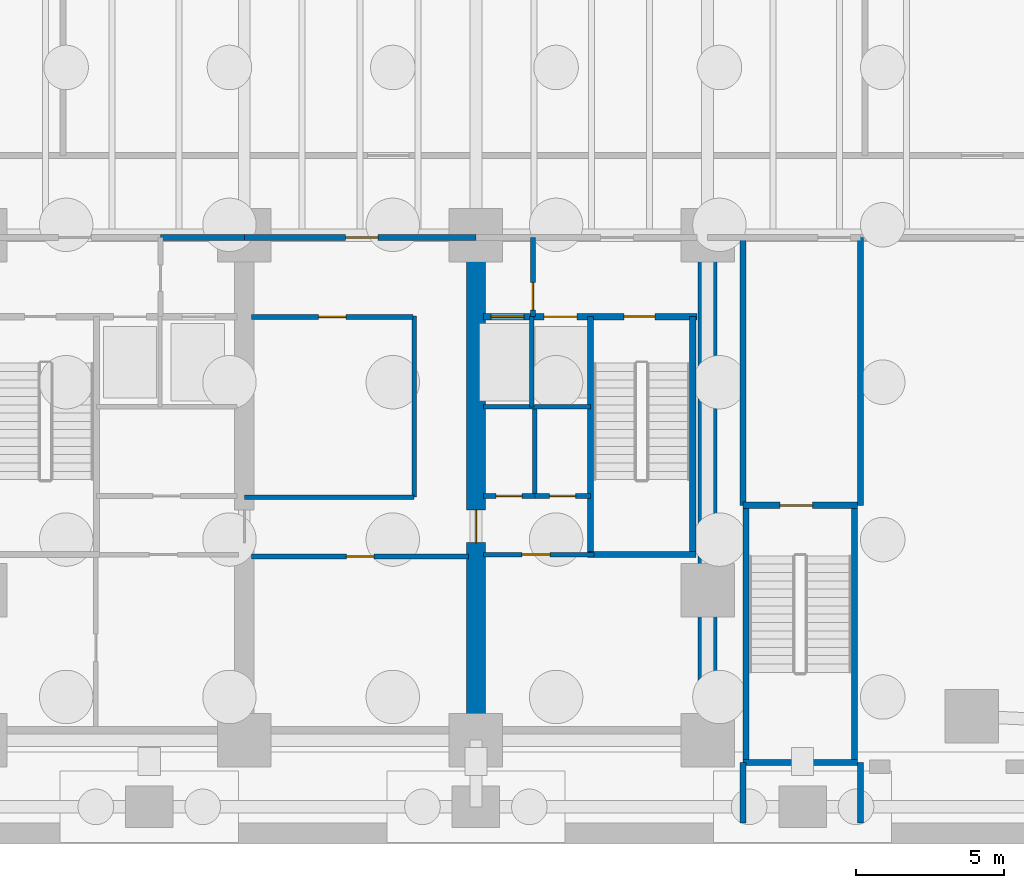
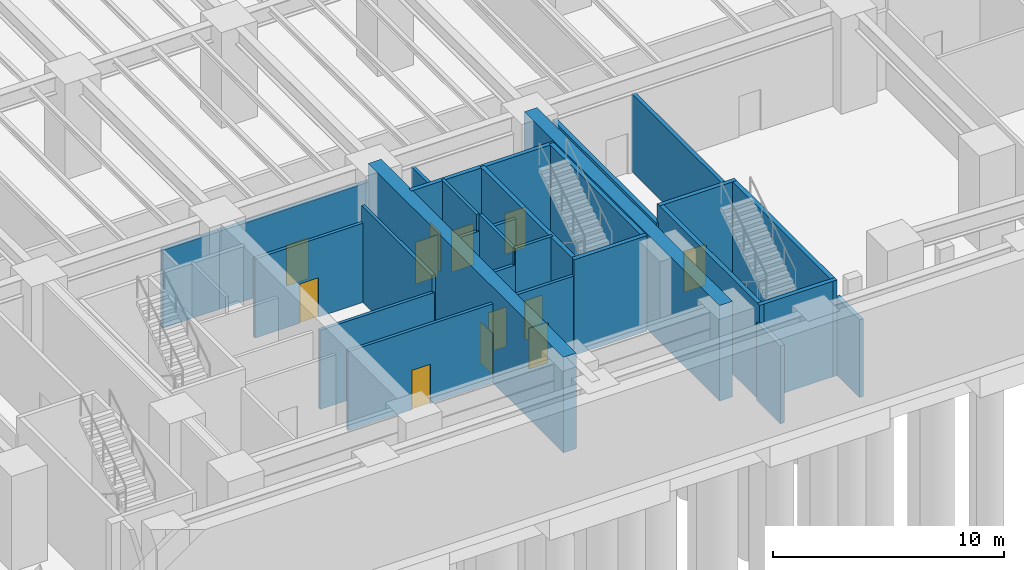
# One storey, part 7 of 12: 27 walls, 12 doors, 12 openings.
"""IFC4 building model written with IfcOpenShell, lengths in metres."""

from ifc_helpers import new_model, si_unit, direction, frame, frame_2d, origin, place, context, subcontext, project, spatial, rectangle, extrude, material, layer, layer_set, type_object, element, fill, save


model = new_model("IFC4")

# Units and contexts
model_context = context("Model", 3, precision=1e-05, world=origin(), true_north=direction((0.0, 1.0)))
body_context = subcontext(model_context, "Body", "Model", "MODEL_VIEW")
ifc_project = project(units=[si_unit("LENGTHUNIT", "METRE"), si_unit("AREAUNIT", "SQUARE_METRE"), si_unit("VOLUMEUNIT", "CUBIC_METRE"), si_unit("PLANEANGLEUNIT", "RADIAN"), si_unit("MASSUNIT", "GRAM", prefix="KILO")], contexts=[model_context])

# Site, building, storey
site_placement = place(None, origin())
site = spatial("IfcSite", under=ifc_project, at=site_placement, CompositionType="ELEMENT")
building_placement = place(site_placement, origin())
building = spatial("IfcBuilding", under=site, at=building_placement, Name="Qalmaran Belvedere Hotel", CompositionType="ELEMENT")
storey_placement = place(building_placement, frame((0.0, 0.0, -5.39990234375)))
storey = spatial("IfcBuildingStorey", under=building, at=storey_placement, Name="B01", CompositionType="ELEMENT", Elevation=-5.39990234375)

# Wall
ifc_material_1 = material(Name="Concrete C60/75", Category="concrete")
ifc_layer_1 = layer(ifc_material_1, 0.64990234375, Name="Concrete C60/75")
ifc_layer_set_1 = layer_set([ifc_layer_1], Name="Concrete C60/75")
wall_type_1 = type_object("IfcWallType", Name="WL-CORE-650-C60", PredefinedType="SHEAR", material=ifc_layer_set_1)
wall_1_placement = place(storey_placement, frame((44.800048828125, 3.5, 0.0), z_axis=(0.0, 0.0, 1.0), x_axis=(0.0, 1.0, 0.0)))
element("IfcWall", 1, at=wall_1_placement, inside=storey, type_object=wall_type_1, Name="B01 East Core Shear Wall", PredefinedType="SHEAR", context=body_context, shape_type="SweptSolid", body=[
    extrude(rectangle(XDim=16.89990234375, YDim=0.64990234375, at=frame_2d((8.449951171875, 0.0))), origin(), (0.0, 0.0, 1.0), 5.0498046875),
])

# Wall, opening, door
wall_2_placement = place(storey_placement, frame((37.0, 3.5, 0.0), z_axis=(0.0, 0.0, 1.0), x_axis=(0.0, 1.0, 0.0)))
wall_2 = element("IfcWall", 2, at=wall_2_placement, inside=storey, type_object=wall_type_1, Name="B01 Core East Spine Shear Wall", PredefinedType="SHEAR", context=body_context, shape_type="SweptSolid", body=[
    extrude(rectangle(XDim=16.89990234375, YDim=0.64990234375, at=frame_2d((8.449951171875, 0.0))), origin(), (0.0, 0.0, 1.0), 5.0498046875),
])
opening_1_placement = place(wall_2_placement, frame((6.64990234375, 0.0, 0.0)))
opening_1 = element("IfcOpeningElement", 3, at=opening_1_placement, cuts=wall_2, Name="Opening FD90", PredefinedType="OPENING", context=body_context, shape_type="SweptSolid", body=[
    extrude(rectangle(XDim=1.10009765625, YDim=2.14990234375, at=frame_2d((0.550048828125, 1.074951171875))), frame((0.0, 0.3349609375, 0.0), z_axis=(0.0, -1.0, 0.0), x_axis=(1.0, 0.0, 0.0)), (0.0, 0.0, 1.0), 0.669921875),
])
ifc_material_2 = material(Name="Steel S355JR", Category="steel")
door_type_1 = type_object("IfcDoorType", Name="DR-FD90-1100X2150", OperationType="NOTDEFINED", PredefinedType="DOOR", material=ifc_material_2)
door_1_placement = place(opening_1_placement, origin())
door_1 = element("IfcDoor", 4, at=door_1_placement, inside=storey, type_object=door_type_1, Name="B01 Core East Cross-Lobby Door", OperationType="SINGLE_SWING_RIGHT", OverallHeight=2.14990234375, OverallWidth=1.10009765625, PredefinedType="DOOR", context=body_context, shape_type="SweptSolid", body=[
    extrude(rectangle(XDim=1.10009765625, YDim=2.14990234375, at=frame_2d((0.550048828125, 1.074951171875))), frame((0.0, 0.02490234375, 0.0), z_axis=(0.0, -1.0, 0.0), x_axis=(1.0, 0.0, 0.0)), (0.0, 0.0, 1.0), 0.050048828125),
])
fill(opening_1, door_1)

# Walls
ifc_material_3 = material(Name="Gypsum Stud Partition")
ifc_layer_2 = layer(ifc_material_3, 0.14990234375, Name="Gypsum Stud Partition")
ifc_layer_set_2 = layer_set([ifc_layer_2], Name="Gypsum Stud Partition")
wall_type_2 = type_object("IfcWallType", Name="WL-INT-150-EI120", PredefinedType="PARTITIONING", material=ifc_layer_set_2)
wall_3_placement = place(storey_placement, frame((38.8798828125, 14.719970703125, 0.0), z_axis=(0.0, 0.0, 1.0), x_axis=(0.0, 1.0, 0.0)))
element("IfcWall", 5, at=wall_3_placement, inside=storey, type_object=wall_type_2, Name="B01 Partition WL-FF2M-B01", PredefinedType="PARTITIONING", context=body_context, shape_type="SweptSolid", body=[
    extrude(rectangle(XDim=3.0400390625, YDim=0.14990234375, at=frame_2d((1.52001953125, 0.0))), origin(), (0.0, 0.0, 1.0), 5.0498046875),
])
ifc_layer_3 = layer(ifc_material_3, 0.14990234375, Name="Gypsum Stud Partition")
ifc_layer_set_3 = layer_set([ifc_layer_3], Name="Gypsum Stud Partition")
wall_type_3 = type_object("IfcWallType", Name="WL-INT-150-EI60", PredefinedType="PARTITIONING", material=ifc_layer_set_3)
wall_4_placement = place(storey_placement, frame((38.98291015625, 11.719970703125, 0.0), z_axis=(0.0, 0.0, 1.0), x_axis=(0.0, 1.0, 0.0)))
element("IfcWall", 6, at=wall_4_placement, inside=storey, type_object=wall_type_3, Name="B01 Partition WL-B01-KEV1", PredefinedType="PARTITIONING", context=body_context, shape_type="SweptSolid", body=[
    extrude(rectangle(XDim=2.929931640625, YDim=0.14990234375, at=frame_2d((1.46484375, 0.0))), origin(), (0.0, 0.0, 1.0), 5.0498046875),
])

# Wall, opening, door
ifc_layer_4 = layer(ifc_material_3, 0.159912109375, Name="Gypsum Stud Partition")
ifc_layer_set_4 = layer_set([ifc_layer_4], Name="Gypsum Stud Partition")
wall_type_4 = type_object("IfcWallType", Name="WL-INT-160-EI120", PredefinedType="PARTITIONING", material=ifc_layer_set_4)
wall_5_placement = place(storey_placement, frame((38.919921875, 17.760009765625, 0.0), z_axis=(0.0, 0.0, 1.0), x_axis=(0.0, 1.0, 0.0)))
wall_5 = element("IfcWall", 7, at=wall_5_placement, inside=storey, type_object=wall_type_4, Name="B01 Partition WL-FFSV2-B01", PredefinedType="PARTITIONING", context=body_context, shape_type="SweptSolid", body=[
    extrude(rectangle(XDim=2.659912109375, YDim=0.159912109375, at=frame_2d((1.330078125, 0.0))), origin(), (0.0, 0.0, 1.0), 4.114013671875),
])
opening_2_placement = place(wall_5_placement, frame((1.139892578125, 0.0, 0.0), z_axis=(0.0, 0.0, 1.0), x_axis=(-1.0, 0.0, 0.0)))
opening_2 = element("IfcOpeningElement", 8, at=opening_2_placement, cuts=wall_5, Name="Opening FD60S1", PredefinedType="OPENING", context=body_context, shape_type="SweptSolid", body=[
    extrude(rectangle(XDim=0.919921875, YDim=2.080078125, at=frame_2d((0.4599609375, 1.0400390625))), frame((0.0, 0.08984375, 0.0), z_axis=(0.0, -1.0, 0.0), x_axis=(1.0, 0.0, 0.0)), (0.0, 0.0, 1.0), 0.179931640625),
])
ifc_material_4 = material(Name="Engineered Oak Veneer")
door_type_2 = type_object("IfcDoorType", Name="DR-FD60S-920X2080", OperationType="NOTDEFINED", PredefinedType="DOOR", material=ifc_material_4)
door_2_placement = place(opening_2_placement, origin())
door_2 = element("IfcDoor", 9, at=door_2_placement, inside=storey, type_object=door_type_2, Name="B01 Service Lobby East Door", OperationType="SINGLE_SWING_RIGHT", OverallHeight=2.080078125, OverallWidth=0.919921875, PredefinedType="DOOR", context=body_context, shape_type="SweptSolid", body=[
    extrude(rectangle(XDim=0.919921875, YDim=2.080078125, at=frame_2d((0.4599609375, 1.0400390625))), frame((0.0, 0.02490234375, 0.0), z_axis=(0.0, -1.0, 0.0), x_axis=(1.0, 0.0, 0.0)), (0.0, 0.0, 1.0), 0.050048828125),
])
fill(opening_2, door_2)

# Wall
wall_6_placement = place(storey_placement, frame((37.25, 14.719970703125, 0.0), z_axis=(0.0, 0.0, 1.0), x_axis=(1.0, 0.0, 0.0)))
element("IfcWall", 10, at=wall_6_placement, inside=storey, type_object=wall_type_4, Name="B01 Partition WL-FF2S-B01", PredefinedType="PARTITIONING", context=body_context, shape_type="SweptSolid", body=[
    extrude(rectangle(XDim=3.610107421875, YDim=0.159912109375, at=frame_2d((1.80517578125, 0.0))), origin(), (0.0, 0.0, 1.0), 4.179931640625),
])

# Wall, opening, door
ifc_layer_5 = layer(ifc_material_3, 0.159912109375, Name="Gypsum Stud Partition")
ifc_layer_set_5 = layer_set([ifc_layer_5], Name="Gypsum Stud Partition")
wall_type_5 = type_object("IfcWallType", Name="WL-INT-160-EI60", PredefinedType="PARTITIONING", material=ifc_layer_set_5)
wall_7_placement = place(storey_placement, frame((37.25, 11.719970703125, 0.0), z_axis=(0.0, 0.0, 1.0), x_axis=(1.0, 0.0, 0.0)))
wall_7 = element("IfcWall", 11, at=wall_7_placement, inside=storey, type_object=wall_type_5, Name="B01 Partition WL-B01-KEE1", PredefinedType="PARTITIONING", context=body_context, shape_type="SweptSolid", body=[
    extrude(rectangle(XDim=1.73291015625, YDim=0.159912109375, at=frame_2d((0.866455078125, 0.0))), origin(), (0.0, 0.0, 1.0), 4.179931640625),
])
opening_3_placement = place(wall_7_placement, frame((0.426513671875, 0.0, 0.0)))
opening_3 = element("IfcOpeningElement", 12, at=opening_3_placement, cuts=wall_7, Name="Opening FD60B", PredefinedType="OPENING", context=body_context, shape_type="SweptSolid", body=[
    extrude(rectangle(XDim=0.8798828125, YDim=2.080078125, at=frame_2d((0.43994140625, 1.0400390625))), frame((0.0, 0.08984375, 0.0), z_axis=(0.0, -1.0, 0.0), x_axis=(1.0, 0.0, 0.0)), (0.0, 0.0, 1.0), 0.179931640625),
])
door_type_3 = type_object("IfcDoorType", Name="DR-FD60B-880X2080", OperationType="NOTDEFINED", PredefinedType="DOOR", material=ifc_material_2)
door_3_placement = place(opening_3_placement, origin())
door_3 = element("IfcDoor", 13, at=door_3_placement, inside=storey, type_object=door_type_3, Name="B01 Smoke Control Plant Room Door", OperationType="SINGLE_SWING_LEFT", OverallHeight=2.080078125, OverallWidth=0.8798828125, PredefinedType="DOOR", context=body_context, shape_type="SweptSolid", body=[
    extrude(rectangle(XDim=0.8798828125, YDim=2.080078125, at=frame_2d((0.43994140625, 1.0400390625))), frame((0.0, 0.02490234375, 0.0), z_axis=(0.0, -1.0, 0.0), x_axis=(1.0, 0.0, 0.0)), (0.0, 0.0, 1.0), 0.050048828125),
])
fill(opening_3, door_3)

wall_8_placement = place(storey_placement, frame((38.98291015625, 11.719970703125, 0.0), z_axis=(0.0, 0.0, 1.0), x_axis=(1.0, 0.0, 0.0)))
wall_8 = element("IfcWall", 14, at=wall_8_placement, inside=storey, type_object=wall_type_5, Name="B01 Partition WL-B01-KEE2", PredefinedType="PARTITIONING", context=body_context, shape_type="SweptSolid", body=[
    extrude(rectangle(XDim=1.877197265625, YDim=0.159912109375, at=frame_2d((0.9384765625, 0.0))), origin(), (0.0, 0.0, 1.0), 5.0498046875),
])
opening_4_placement = place(wall_8_placement, frame((0.49853515625, 0.0, 0.0)))
opening_4 = element("IfcOpeningElement", 15, at=opening_4_placement, cuts=wall_8, Name="Opening FD60B", PredefinedType="OPENING", context=body_context, shape_type="SweptSolid", body=[
    extrude(rectangle(XDim=0.8798828125, YDim=2.080078125, at=frame_2d((0.43994140625, 1.0400390625))), frame((0.0, 0.08984375, 0.0), z_axis=(0.0, -1.0, 0.0), x_axis=(1.0, 0.0, 0.0)), (0.0, 0.0, 1.0), 0.179931640625),
])
door_4_placement = place(opening_4_placement, origin())
door_4 = element("IfcDoor", 16, at=door_4_placement, inside=storey, type_object=door_type_3, Name="B01 Low Voltage Switch Plant Room Door", OperationType="SINGLE_SWING_RIGHT", OverallHeight=2.080078125, OverallWidth=0.8798828125, PredefinedType="DOOR", context=body_context, shape_type="SweptSolid", body=[
    extrude(rectangle(XDim=0.8798828125, YDim=2.080078125, at=frame_2d((0.43994140625, 1.0400390625))), frame((0.0, 0.02490234375, 0.0), z_axis=(0.0, -1.0, 0.0), x_axis=(1.0, 0.0, 0.0)), (0.0, 0.0, 1.0), 0.050048828125),
])
fill(opening_4, door_4)

wall_9_placement = place(storey_placement, frame((37.25, 9.739990234375, 0.0), z_axis=(0.0, 0.0, 1.0), x_axis=(1.0, 0.0, 0.0)))
wall_9 = element("IfcWall", 17, at=wall_9_placement, inside=storey, type_object=wall_type_5, Name="B01 Partition WL-PHFR-B01", PredefinedType="PARTITIONING", context=body_context, shape_type="SweptSolid", body=[
    extrude(rectangle(XDim=3.72998046875, YDim=0.159912109375, at=frame_2d((1.864990234375, 0.0))), origin(), (0.0, 0.0, 1.0), 4.179931640625),
])
opening_5_placement = place(wall_9_placement, frame((2.25, 0.0, 0.0), z_axis=(0.0, 0.0, 1.0), x_axis=(-1.0, 0.0, 0.0)))
opening_5 = element("IfcOpeningElement", 18, at=opening_5_placement, cuts=wall_9, Name="Opening FD60", PredefinedType="OPENING", context=body_context, shape_type="SweptSolid", body=[
    extrude(rectangle(XDim=0.949951171875, YDim=2.14990234375, at=frame_2d((0.47509765625, 1.074951171875))), frame((0.0, 0.08984375, 0.0), z_axis=(0.0, -1.0, 0.0), x_axis=(1.0, 0.0, 0.0)), (0.0, 0.0, 1.0), 0.179931640625),
])
door_type_4 = type_object("IfcDoorType", Name="DR-FD60-950X2150", OperationType="NOTDEFINED", PredefinedType="DOOR", material=ifc_material_4)
door_5_placement = place(opening_5_placement, origin())
door_5 = element("IfcDoor", 19, at=door_5_placement, inside=storey, type_object=door_type_4, Name="B01 Freed PH Room Door", OperationType="SINGLE_SWING_LEFT", OverallHeight=2.14990234375, OverallWidth=0.949951171875, PredefinedType="DOOR", context=body_context, shape_type="SweptSolid", body=[
    extrude(rectangle(XDim=0.949951171875, YDim=2.14990234375, at=frame_2d((0.47509765625, 1.074951171875))), frame((0.0, 0.02490234375, 0.0), z_axis=(0.0, -1.0, 0.0), x_axis=(1.0, 0.0, 0.0)), (0.0, 0.0, 1.0), 0.050048828125),
])
fill(opening_5, door_5)

# Wall
wall_10_placement = place(storey_placement, frame((34.919921875, 11.679931640625, 0.0), z_axis=(0.0, 0.0, 1.0), x_axis=(0.0, 1.0, 0.0)))
element("IfcWall", 20, at=wall_10_placement, inside=storey, type_object=wall_type_5, Name="B01 Partition WL-CLLV-B01", PredefinedType="PARTITIONING", context=body_context, shape_type="SweptSolid", body=[
    extrude(rectangle(XDim=6.10009765625, YDim=0.159912109375, at=frame_2d((3.050048828125, 0.0))), origin(), (0.0, 0.0, 1.0), 5.0498046875),
])

# Wall, opening, door
wall_11_placement = place(storey_placement, frame((29.449951171875, 9.679931640625, 0.0), z_axis=(0.0, 0.0, 1.0), x_axis=(1.0, 0.0, 0.0)))
wall_11 = element("IfcWall", 21, at=wall_11_placement, inside=storey, type_object=wall_type_5, Name="B01 Partition WL-B01-KPLE1", PredefinedType="PARTITIONING", context=body_context, shape_type="SweptSolid", body=[
    extrude(rectangle(XDim=7.300048828125, YDim=0.159912109375, at=frame_2d((3.64990234375, 0.0))), origin(), (0.0, 0.0, 1.0), 4.179931640625),
])
opening_6_placement = place(wall_11_placement, frame((4.10986328125, 0.0, 0.0), z_axis=(0.0, 0.0, 1.0), x_axis=(-1.0, 0.0, 0.0)))
opening_6 = element("IfcOpeningElement", 22, at=opening_6_placement, cuts=wall_11, Name="Opening FD60S1", PredefinedType="OPENING", context=body_context, shape_type="SweptSolid", body=[
    extrude(rectangle(XDim=0.919921875, YDim=2.080078125, at=frame_2d((0.4599609375, 1.0400390625))), frame((0.0, 0.08984375, 0.0), z_axis=(0.0, -1.0, 0.0), x_axis=(1.0, 0.0, 0.0)), (0.0, 0.0, 1.0), 0.179931640625),
])
door_6_placement = place(opening_6_placement, origin())
door_6 = element("IfcDoor", 23, at=door_6_placement, inside=storey, type_object=door_type_2, Name="B01 Pressurisation Fan Plant Room Door", OperationType="SINGLE_SWING_RIGHT", OverallHeight=2.080078125, OverallWidth=0.919921875, PredefinedType="DOOR", context=body_context, shape_type="SweptSolid", body=[
    extrude(rectangle(XDim=0.919921875, YDim=2.080078125, at=frame_2d((0.4599609375, 1.0400390625))), frame((0.0, 0.02490234375, 0.0), z_axis=(0.0, -1.0, 0.0), x_axis=(1.0, 0.0, 0.0)), (0.0, 0.0, 1.0), 0.050048828125),
])
fill(opening_6, door_6)

# Wall
wall_12_placement = place(storey_placement, frame((29.199951171875, 11.679931640625, 0.0), z_axis=(0.0, 0.0, 1.0), x_axis=(1.0, 0.0, 0.0)))
element("IfcWall", 24, at=wall_12_placement, inside=storey, type_object=wall_type_5, Name="B01 Partition WL-PMFS-B01", PredefinedType="PARTITIONING", context=body_context, shape_type="SweptSolid", body=[
    extrude(rectangle(XDim=5.719970703125, YDim=0.159912109375, at=frame_2d((2.85986328125, 0.0))), origin(), (0.0, 0.0, 1.0), 4.179931640625),
])

# Wall, opening, door
wall_13_placement = place(storey_placement, frame((29.449951171875, 17.75, 0.0), z_axis=(0.0, 0.0, 1.0), x_axis=(1.0, 0.0, 0.0)))
wall_13 = element("IfcWall", 25, at=wall_13_placement, inside=storey, type_object=wall_type_5, Name="B01 Partition WL-B01-KPME1", PredefinedType="PARTITIONING", context=body_context, shape_type="SweptSolid", body=[
    extrude(rectangle(XDim=5.429931640625, YDim=0.159912109375, at=frame_2d((2.71484375, 0.0))), origin(), (0.0, 0.0, 1.0), 4.179931640625),
])
opening_7_placement = place(wall_13_placement, frame((3.1748046875, 0.0, 0.0), z_axis=(0.0, 0.0, 1.0), x_axis=(-1.0, 0.0, 0.0)))
opening_7 = element("IfcOpeningElement", 26, at=opening_7_placement, cuts=wall_13, Name="Opening FD60S1", PredefinedType="OPENING", context=body_context, shape_type="SweptSolid", body=[
    extrude(rectangle(XDim=0.919921875, YDim=2.080078125, at=frame_2d((0.4599609375, 1.0400390625))), frame((0.0, 0.08984375, 0.0), z_axis=(0.0, -1.0, 0.0), x_axis=(1.0, 0.0, 0.0)), (0.0, 0.0, 1.0), 0.179931640625),
])
door_7_placement = place(opening_7_placement, origin())
door_7 = element("IfcDoor", 27, at=door_7_placement, inside=storey, type_object=door_type_2, Name="B01 Telecom UPS Plant Room Door", OperationType="SINGLE_SWING_LEFT", OverallHeight=2.080078125, OverallWidth=0.919921875, PredefinedType="DOOR", context=body_context, shape_type="SweptSolid", body=[
    extrude(rectangle(XDim=0.919921875, YDim=2.080078125, at=frame_2d((0.4599609375, 1.0400390625))), frame((0.0, 0.02490234375, 0.0), z_axis=(0.0, -1.0, 0.0), x_axis=(1.0, 0.0, 0.0)), (0.0, 0.0, 1.0), 0.050048828125),
])
fill(opening_7, door_7)

# Wall
ifc_material_5 = material(Name="Concrete C30/37 Blockwork", Category="masonry")
ifc_layer_6 = layer(ifc_material_5, 0.199951171875, Name="Concrete C30/37 Blockwork")
ifc_layer_set_6 = layer_set([ifc_layer_6], Name="Concrete C30/37 Blockwork")
wall_type_6 = type_object("IfcWallType", Name="WL-INT-200-EI120", PredefinedType="PARTITIONING", material=ifc_layer_set_6)
wall_14_placement = place(storey_placement, frame((26.3798828125, 20.419921875, 0.0), z_axis=(0.0, 0.0, 1.0), x_axis=(1.0, 0.0, 0.0)))
element("IfcWall", 28, at=wall_14_placement, inside=storey, type_object=wall_type_6, Name="B01 Partition WL-CN1B-B01", PredefinedType="PARTITIONING", context=body_context, shape_type="SweptSolid", body=[
    extrude(rectangle(XDim=2.820068359375, YDim=0.199951171875, at=frame_2d((1.41015625, 0.0))), origin(), (0.0, 0.0, 1.0), 4.114013671875),
])

# Wall, opening, door
wall_15_placement = place(storey_placement, frame((29.199951171875, 20.419921875, 0.0), z_axis=(0.0, 0.0, 1.0), x_axis=(1.0, 0.0, 0.0)))
wall_15 = element("IfcWall", 29, at=wall_15_placement, inside=storey, type_object=wall_type_6, Name="B01 Partition WL-CN2-B01", PredefinedType="PARTITIONING", context=body_context, shape_type="SweptSolid", body=[
    extrude(rectangle(XDim=7.800048828125, YDim=0.199951171875, at=frame_2d((3.89990234375, 0.0))), origin(), (0.0, 0.0, 1.0), 4.114013671875),
])
opening_8_placement = place(wall_15_placement, frame((3.4091796875, 0.0, 0.0)))
opening_8 = element("IfcOpeningElement", 30, at=opening_8_placement, cuts=wall_15, Name="Opening FD90", PredefinedType="OPENING", context=body_context, shape_type="SweptSolid", body=[
    extrude(rectangle(XDim=1.10009765625, YDim=2.14990234375, at=frame_2d((0.550048828125, 1.074951171875))), frame((0.0, 0.10986328125, 0.0), z_axis=(0.0, -1.0, 0.0), x_axis=(1.0, 0.0, 0.0)), (0.0, 0.0, 1.0), 0.219970703125),
])
door_8_placement = place(opening_8_placement, origin())
door_8 = element("IfcDoor", 31, at=door_8_placement, inside=storey, type_object=door_type_1, Name="B01 Central Lift Lobby Door", OperationType="SINGLE_SWING_RIGHT", OverallHeight=2.14990234375, OverallWidth=1.10009765625, PredefinedType="DOOR", context=body_context, shape_type="SweptSolid", body=[
    extrude(rectangle(XDim=1.10009765625, YDim=2.14990234375, at=frame_2d((0.550048828125, 1.074951171875))), frame((0.0, 0.02490234375, 0.0), z_axis=(0.0, -1.0, 0.0), x_axis=(1.0, 0.0, 0.0)), (0.0, 0.0, 1.0), 0.050048828125),
])
fill(opening_8, door_8)

# Walls
wall_16_placement = place(storey_placement, frame((46.0, 11.39990234375, 0.0), z_axis=(0.0, 0.0, 1.0), x_axis=(0.0, 1.0, 0.0)))
element("IfcWall", 32, at=wall_16_placement, inside=storey, type_object=wall_type_6, Name="B01 Partition WL-B01-RW1", PredefinedType="PARTITIONING", context=body_context, shape_type="SweptSolid", body=[
    extrude(rectangle(XDim=9.02001953125, YDim=0.199951171875, at=frame_2d((4.510009765625, 0.0))), origin(), (0.0, 0.0, 1.0), 4.114013671875),
])
wall_17_placement = place(storey_placement, frame((46.0, 0.699951171875, 0.0), z_axis=(0.0, 0.0, 1.0), x_axis=(0.0, 1.0, 0.0)))
element("IfcWall", 33, at=wall_17_placement, inside=storey, type_object=wall_type_6, Name="B01 Partition WL-B01-RW2", PredefinedType="PARTITIONING", context=body_context, shape_type="SweptSolid", body=[
    extrude(rectangle(XDim=2.050048828125, YDim=0.199951171875, at=frame_2d((1.02490234375, 0.0))), origin(), (0.0, 0.0, 1.0), 4.114013671875),
])
wall_18_placement = place(storey_placement, frame((49.949951171875, 11.39990234375, 0.0), z_axis=(0.0, 0.0, 1.0), x_axis=(0.0, 1.0, 0.0)))
element("IfcWall", 34, at=wall_18_placement, inside=storey, type_object=wall_type_6, Name="B01 Partition WL-B01-RE", PredefinedType="PARTITIONING", context=body_context, shape_type="SweptSolid", body=[
    extrude(rectangle(XDim=9.02001953125, YDim=0.199951171875, at=frame_2d((4.510009765625, 0.0))), origin(), (0.0, 0.0, 1.0), 4.114013671875),
])
wall_19_placement = place(storey_placement, frame((49.949951171875, 0.699951171875, 0.0), z_axis=(0.0, 0.0, 1.0), x_axis=(0.0, 1.0, 0.0)))
element("IfcWall", 35, at=wall_19_placement, inside=storey, type_object=wall_type_6, Name="B01 Partition WL-B01-RES", PredefinedType="PARTITIONING", context=body_context, shape_type="SweptSolid", body=[
    extrude(rectangle(XDim=2.050048828125, YDim=0.199951171875, at=frame_2d((1.02490234375, 0.0))), origin(), (0.0, 0.0, 1.0), 4.114013671875),
])
ifc_material_6 = material(Name="Concrete C50/60", Category="concrete")
ifc_layer_7 = layer(ifc_material_6, 0.2099609375, Name="Concrete C50/60")
ifc_layer_set_7 = layer_set([ifc_layer_7], Name="Concrete C50/60")
wall_type_7 = type_object("IfcWallType", Name="WL-STAIR-210-C50", PredefinedType="SHEAR", material=ifc_layer_set_7)
for number, where, z_axis, x_axis, name in (
    (36, (40.85498046875, 9.7451171875, 0.0), (0.0, 0.0, 1.0), (0.0, 1.0, 0.0), "B01 Stair ST-2 West Bearing Wall"),
    (37, (44.304931640625, 9.7451171875, 0.0), (0.0, 0.0, 1.0), (0.0, 1.0, 0.0), "B01 Stair ST-2 East Bearing Wall"),
):
    element("IfcWall", number, at=place(storey_placement, frame(where, z_axis=z_axis, x_axis=x_axis)), inside=storey, type_object=wall_type_7, Name=name, PredefinedType="SHEAR", context=body_context, shape_type="SweptSolid", body=[
        extrude(rectangle(XDim=8.009765625, YDim=0.2099609375, at=frame_2d((4.0048828125, 0.0))), origin(), (0.0, 0.0, 1.0), 5.0498046875),
    ])
wall_20_placement = place(storey_placement, frame((40.75, 9.7451171875, 0.0), z_axis=(0.0, 0.0, 1.0), x_axis=(1.0, 0.0, 0.0)))
element("IfcWall", 38, at=wall_20_placement, inside=storey, type_object=wall_type_7, Name="B01 Stair ST-2 South Bearing Wall", PredefinedType="SHEAR", context=body_context, shape_type="SweptSolid", body=[
    extrude(rectangle(XDim=3.659912109375, YDim=0.2099609375, at=frame_2d((1.830078125, 0.0))), origin(), (0.0, 0.0, 1.0), 5.0498046875),
])

# Wall, openings, doors
wall_21_placement = place(storey_placement, frame((37.25, 17.7548828125, 0.0), z_axis=(0.0, 0.0, 1.0), x_axis=(1.0, 0.0, 0.0)))
wall_21 = element("IfcWall", 39, at=wall_21_placement, inside=storey, type_object=wall_type_7, Name="B01 East Lobby and Stair ST-2 North Bearing Wall", PredefinedType="SHEAR", context=body_context, shape_type="SweptSolid", body=[
    extrude(rectangle(XDim=7.199951171875, YDim=0.2099609375, at=frame_2d((3.60009765625, 0.0))), origin(), (0.0, 0.0, 1.0), 5.0498046875),
])
opening_9_placement = place(wall_21_placement, frame((0.25, 0.0, 0.0)))
opening_9 = element("IfcOpeningElement", 40, at=opening_9_placement, cuts=wall_21, Name="Opening LD-SV", PredefinedType="OPENING", context=body_context, shape_type="SweptSolid", body=[
    extrude(rectangle(XDim=1.1201171875, YDim=2.199951171875, at=frame_2d((0.56005859375, 1.10009765625))), frame((0.0, 0.114990234375, 0.0), z_axis=(0.0, -1.0, 0.0), x_axis=(1.0, 0.0, 0.0)), (0.0, 0.0, 1.0), 0.22998046875),
])
opening_10_placement = place(wall_21_placement, frame((2.050048828125, 0.0, 0.0)))
opening_10 = element("IfcOpeningElement", 41, at=opening_10_placement, cuts=wall_21, Name="Opening LD-FF", PredefinedType="OPENING", context=body_context, shape_type="SweptSolid", body=[
    extrude(rectangle(XDim=1.10009765625, YDim=2.179931640625, at=frame_2d((0.550048828125, 1.08984375))), frame((0.0, 0.114990234375, 0.0), z_axis=(0.0, -1.0, 0.0), x_axis=(1.0, 0.0, 0.0)), (0.0, 0.0, 1.0), 0.22998046875),
])
opening_11_placement = place(wall_21_placement, frame((5.780029296875, 0.0, 0.0), z_axis=(0.0, 0.0, 1.0), x_axis=(-1.0, 0.0, 0.0)))
opening_11 = element("IfcOpeningElement", 42, at=opening_11_placement, cuts=wall_21, Name="Opening FD90S2", PredefinedType="OPENING", context=body_context, shape_type="SweptSolid", body=[
    extrude(rectangle(XDim=1.050048828125, YDim=2.14990234375, at=frame_2d((0.52490234375, 1.074951171875))), frame((0.0, 0.114990234375, 0.0), z_axis=(0.0, -1.0, 0.0), x_axis=(1.0, 0.0, 0.0)), (0.0, 0.0, 1.0), 0.22998046875),
])
door_type_5 = type_object("IfcDoorType", Name="DR-FD90S-1050X2150", OperationType="NOTDEFINED", PredefinedType="DOOR", material=ifc_material_2)
door_9_placement = place(opening_11_placement, origin())
door_9 = element("IfcDoor", 43, at=door_9_placement, inside=storey, type_object=door_type_5, Name="B01 Stair ST-2 Door", OperationType="SINGLE_SWING_RIGHT", OverallHeight=2.14990234375, OverallWidth=1.050048828125, PredefinedType="DOOR", context=body_context, shape_type="SweptSolid", body=[
    extrude(rectangle(XDim=1.050048828125, YDim=2.14990234375, at=frame_2d((0.52490234375, 1.074951171875))), frame((0.0, 0.02490234375, 0.0), z_axis=(0.0, -1.0, 0.0), x_axis=(1.0, 0.0, 0.0)), (0.0, 0.0, 1.0), 0.050048828125),
])
fill(opening_11, door_9)
ifc_material_7 = material(Name="Stainless Steel 1.4401", Category="steel")
door_type_6 = type_object("IfcDoorType", Name="DR-LIFT-FF-1100X2180", OperationType="DOUBLE_DOOR_SLIDING", PredefinedType="DOOR", material=ifc_material_7)
door_10_placement = place(opening_10_placement, origin())
door_10 = element("IfcDoor", 44, at=door_10_placement, inside=storey, type_object=door_type_6, Name="B01 FF2 Lift Landing Door", OperationType="DOUBLE_DOOR_SLIDING", OverallHeight=2.179931640625, OverallWidth=1.10009765625, PredefinedType="DOOR", context=body_context, shape_type="SweptSolid", body=[
    extrude(rectangle(XDim=1.10009765625, YDim=2.179931640625, at=frame_2d((0.550048828125, 1.08984375))), frame((0.0, 0.02490234375, 0.0), z_axis=(0.0, -1.0, 0.0), x_axis=(1.0, 0.0, 0.0)), (0.0, 0.0, 1.0), 0.050048828125),
])
fill(opening_10, door_10)
door_type_7 = type_object("IfcDoorType", Name="DR-LIFT-SV-1120X2200", OperationType="DOUBLE_DOOR_SLIDING", PredefinedType="DOOR", material=ifc_material_7)
door_11_placement = place(opening_9_placement, origin())
door_11 = element("IfcDoor", 45, at=door_11_placement, inside=storey, type_object=door_type_7, Name="B01 SV2 Lift Landing Door", OperationType="DOUBLE_DOOR_SLIDING", OverallHeight=2.199951171875, OverallWidth=1.1201171875, PredefinedType="DOOR", context=body_context, shape_type="SweptSolid", body=[
    extrude(rectangle(XDim=1.1201171875, YDim=2.199951171875, at=frame_2d((0.56005859375, 1.10009765625))), frame((0.0, 0.02490234375, 0.0), z_axis=(0.0, -1.0, 0.0), x_axis=(1.0, 0.0, 0.0)), (0.0, 0.0, 1.0), 0.050048828125),
])
fill(opening_9, door_11)

# Walls
for number, where, z_axis, x_axis, name in (
    (46, (46.094970703125, 2.639892578125, 0.0), (0.0, 0.0, 1.0), (0.0, 1.0, 0.0), "B01 Podium Stair STP2 West Bearing Wall"),
    (47, (49.7451171875, 2.639892578125, 0.0), (0.0, 0.0, 1.0), (0.0, 1.0, 0.0), "B01 Podium Stair STP2 East Bearing Wall"),
):
    element("IfcWall", number, at=place(storey_placement, frame(where, z_axis=z_axis, x_axis=x_axis)), inside=storey, type_object=wall_type_7, Name=name, PredefinedType="SHEAR", context=body_context, shape_type="SweptSolid", body=[
        extrude(rectangle(XDim=8.8701171875, YDim=0.2099609375, at=frame_2d((4.43505859375, 0.0))), origin(), (0.0, 0.0, 1.0), 5.0498046875),
    ])
wall_22_placement = place(storey_placement, frame((45.989990234375, 2.7451171875, 0.0), z_axis=(0.0, 0.0, 1.0), x_axis=(1.0, 0.0, 0.0)))
element("IfcWall", 48, at=wall_22_placement, inside=storey, type_object=wall_type_7, Name="B01 Podium Stair STP2 South Bearing Wall", PredefinedType="SHEAR", context=body_context, shape_type="SweptSolid", body=[
    extrude(rectangle(XDim=3.860107421875, YDim=0.2099609375, at=frame_2d((1.93017578125, 0.0))), origin(), (0.0, 0.0, 1.0), 5.0498046875),
])

# Wall, opening, door
wall_23_placement = place(storey_placement, frame((45.989990234375, 11.405029296875, 0.0), z_axis=(0.0, 0.0, 1.0), x_axis=(1.0, 0.0, 0.0)))
wall_23 = element("IfcWall", 49, at=wall_23_placement, inside=storey, type_object=wall_type_7, Name="B01 Podium Stair STP2 North Bearing Wall", PredefinedType="SHEAR", context=body_context, shape_type="SweptSolid", body=[
    extrude(rectangle(XDim=3.860107421875, YDim=0.2099609375, at=frame_2d((1.93017578125, 0.0))), origin(), (0.0, 0.0, 1.0), 5.0498046875),
])
opening_12_placement = place(wall_23_placement, frame((2.35009765625, 0.0, 0.0), z_axis=(0.0, 0.0, 1.0), x_axis=(-1.0, 0.0, 0.0)))
opening_12 = element("IfcOpeningElement", 50, at=opening_12_placement, cuts=wall_23, Name="Opening FD90", PredefinedType="OPENING", context=body_context, shape_type="SweptSolid", body=[
    extrude(rectangle(XDim=1.10009765625, YDim=2.14990234375, at=frame_2d((0.550048828125, 1.074951171875))), frame((0.0, 0.114990234375, 0.0), z_axis=(0.0, -1.0, 0.0), x_axis=(1.0, 0.0, 0.0)), (0.0, 0.0, 1.0), 0.22998046875),
])
door_12_placement = place(opening_12_placement, origin())
door_12 = element("IfcDoor", 51, at=door_12_placement, inside=storey, type_object=door_type_1, Name="B01 Stair ST-P2 Door", OperationType="SINGLE_SWING_RIGHT", OverallHeight=2.14990234375, OverallWidth=1.10009765625, PredefinedType="DOOR", context=body_context, shape_type="SweptSolid", body=[
    extrude(rectangle(XDim=1.10009765625, YDim=2.14990234375, at=frame_2d((0.550048828125, 1.074951171875))), frame((0.0, 0.02490234375, 0.0), z_axis=(0.0, -1.0, 0.0), x_axis=(1.0, 0.0, 0.0)), (0.0, 0.0, 1.0), 0.050048828125),
])
fill(opening_12, door_12)

save(model, "model.ifc")
